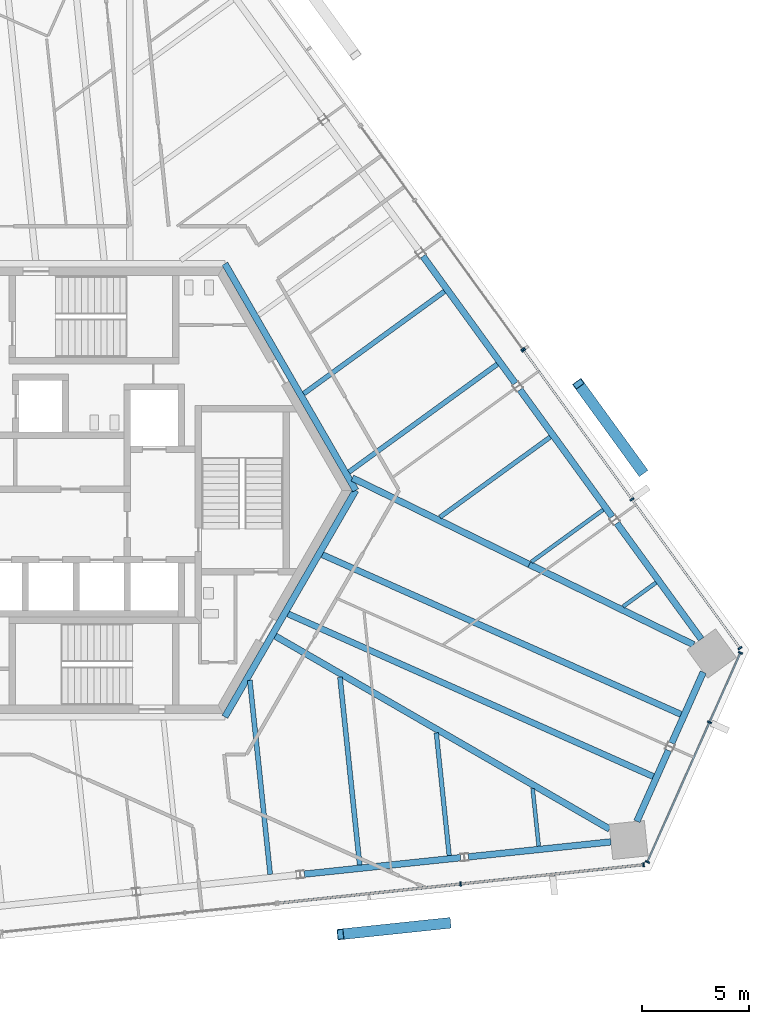
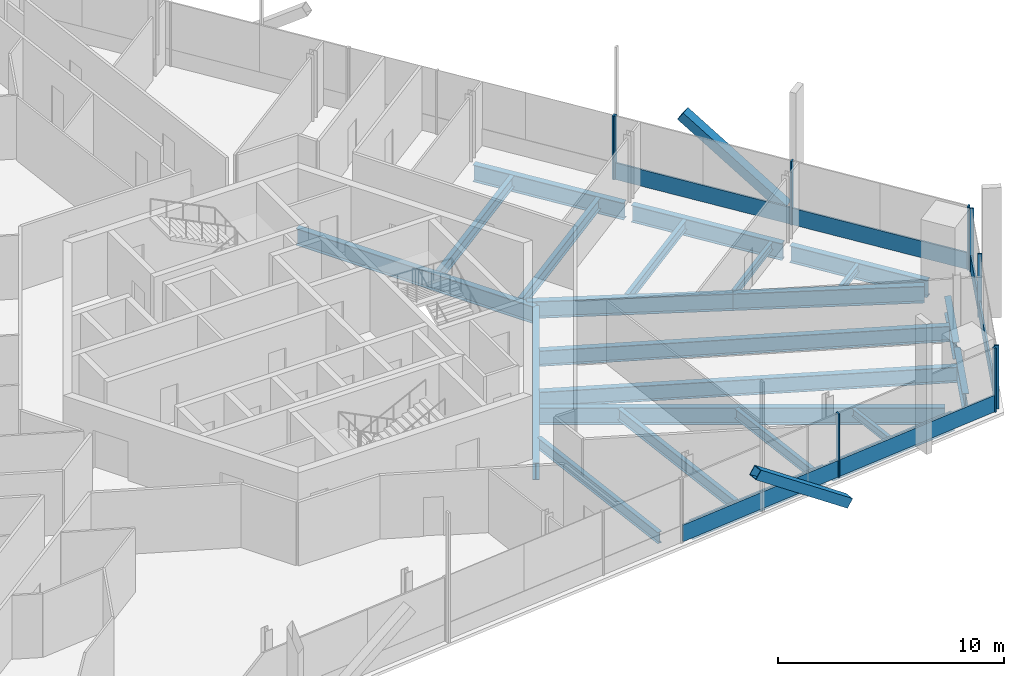
# One storey, part 6 of 20: 23 beams, 17 members, 4 elements without a shape of their own.
"""IFC4 building model written with IfcOpenShell, lengths in metres."""

from ifc_helpers import new_model, si_unit, direction, frame, origin, origin_2d, place, context, subcontext, project, spatial, rectangle, hollow_rectangle, i_section, extrude, source, transform, mapped, material, material_profile, profile_set, type_object, element, aggregate, save


model = new_model("IFC4")

# Units and contexts
model_context = context("Model", 3, precision=1e-05, world=origin(), true_north=direction((0.0, 1.0)))
body_context = subcontext(model_context, "Body", "Model", "MODEL_VIEW")
ifc_project = project(units=[si_unit("LENGTHUNIT", "METRE"), si_unit("AREAUNIT", "SQUARE_METRE"), si_unit("VOLUMEUNIT", "CUBIC_METRE"), si_unit("PLANEANGLEUNIT", "RADIAN"), si_unit("MASSUNIT", "GRAM", prefix="KILO")], contexts=[model_context])

# Site, building, storey
site_placement = place(None, origin())
site = spatial("IfcSite", under=ifc_project, at=site_placement, CompositionType="ELEMENT")
building_placement = place(site_placement, origin())
building = spatial("IfcBuilding", under=site, at=building_placement, Name="Triune Harvest Tower", CompositionType="ELEMENT")
storey_placement = place(building_placement, frame((0.0, 0.0, 226.89990234375)))
storey = spatial("IfcBuildingStorey", under=building, at=storey_placement, Name="L59", CompositionType="ELEMENT", Elevation=226.89990234375)

# Beams
ifc_material_1 = material(Name="Steel ASTM A992 Gr 50", Category="steel")
ifc_material_profile_1 = material_profile(ifc_material_1, i_section(OverallWidth=0.3046875, OverallDepth=0.914306640625, WebThickness=0.0166015625, FlangeThickness=0.02587890625, at=origin_2d()), Name="W36x160")
ifc_profile_set_1 = profile_set([ifc_material_profile_1], Name="Steel ASTM A992 Gr 50")
beam_type_1 = type_object("IfcBeamType", Name="CG-1 Core ring girder W36x160", PredefinedType="BEAM", material=ifc_profile_set_1)
shared_shape_1 = source(origin(), body_context, "Body", "SweptSolid", [
    extrude(i_section(OverallWidth=0.3046875, OverallDepth=0.914306640625, WebThickness=0.0166015625, FlangeThickness=0.02587890625, at=origin_2d()), origin(), (0.0, 0.0, 1.0), 12.176025390625),
])
for number, where, z_axis, x_axis, name in (
    (1, (12.176025390625, 0.0, -0.6171875), (-0.5000099932, 0.866019634131, 0.0), (-0.866019634131, -0.5000099932, 0.0), "beam/L59/CG1"),
    (2, (6.087890625, -10.544677734375, -0.6171875), (0.5000099932, 0.866019634131, 0.0), (-0.866019634131, 0.5000099932, 0.0), "beam/L59/CG6"),
):
    element("IfcBeam", number, at=place(storey_placement, frame(where, z_axis=z_axis, x_axis=x_axis)), inside=storey, type_object=beam_type_1, Name=name, PredefinedType="BEAM", context=body_context, shape_type="MappedRepresentation", body=[
        mapped(shared_shape_1, transform((0.0, 0.0, 0.0), scale=1.0)),
    ])
ifc_material_2 = material(Name="Steel ASTM A992 Gr 50", Category="steel")
ifc_material_profile_2 = material_profile(ifc_material_2, i_section(OverallWidth=0.3046875, OverallDepth=0.914306640625, WebThickness=0.0166015625, FlangeThickness=0.02587890625, at=origin_2d()), Name="W36x160")
ifc_profile_set_2 = profile_set([ifc_material_profile_2], Name="Steel ASTM A992 Gr 50")
beam_type_2 = type_object("IfcBeamType", Name="HG-3 Hip girder W36x160", PredefinedType="BEAM", material=ifc_profile_set_2)
shared_shape_2 = source(origin(), body_context, "Body", "SweptSolid", [
    extrude(i_section(OverallWidth=0.3046875, OverallDepth=0.914306640625, WebThickness=0.0166015625, FlangeThickness=0.02587890625, at=origin_2d()), origin(), (0.0, 0.0, 1.0), 9.168212890625),
])
beam_1_placement = place(storey_placement, frame((20.2587890625, -3.451171875, -0.6171875), z_axis=(-0.898521846145, 0.438928800605, 0.0), x_axis=(-0.438928800605, -0.898521846145, 0.0)))
element("IfcBeam", 3, at=beam_1_placement, inside=storey, type_object=beam_type_2, Name="beam/L59/HG2", PredefinedType="BEAM", context=body_context, shape_type="MappedRepresentation", body=[
    mapped(shared_shape_2, transform((0.0, 0.0, 0.0), scale=1.0)),
])
ifc_material_3 = material(Name="Steel ASTM A992 Gr 50", Category="steel")
ifc_material_profile_3 = material_profile(ifc_material_3, i_section(OverallWidth=0.3046875, OverallDepth=0.914306640625, WebThickness=0.0166015625, FlangeThickness=0.02587890625, at=origin_2d()), Name="W36x160")
ifc_profile_set_3 = profile_set([ifc_material_profile_3], Name="Steel ASTM A992 Gr 50")
beam_type_3 = type_object("IfcBeamType", Name="SB-1 Spandrel beam W36x160", PredefinedType="SPANDREL", material=ifc_profile_set_3)
shared_shape_3 = source(origin(), body_context, "Body", "SweptSolid", [
    extrude(i_section(OverallWidth=0.3046875, OverallDepth=0.914306640625, WebThickness=0.0166015625, FlangeThickness=0.02587890625, at=origin_2d()), origin(), (0.0, 0.0, 1.0), 6.67041015625),
])
for number, where, z_axis, x_axis, name in (
    (4, (28.256591796875, -6.927734375, -0.6171875), (-0.587797324645, 0.80900822316, 0.0), (-0.80900822316, -0.587797324645, 0.0), "beam/L59/SB1"),
    (5, (17.421630859375, -17.060302734375, -0.6171875), (0.994521485501, 0.104532362822, 0.0), (-0.104532362822, 0.994521485501, 0.0), "beam/L59/SB22"),
):
    element("IfcBeam", number, at=place(storey_placement, frame(where, z_axis=z_axis, x_axis=x_axis)), inside=storey, type_object=beam_type_3, Name=name, PredefinedType="SPANDREL", context=body_context, shape_type="MappedRepresentation", body=[
        mapped(shared_shape_3, transform((0.0, 0.0, 0.0), scale=1.0)),
    ])
shared_shape_4 = source(origin(), body_context, "Body", "SweptSolid", [
    extrude(i_section(OverallWidth=0.3046875, OverallDepth=0.914306640625, WebThickness=0.0166015625, FlangeThickness=0.02587890625, at=origin_2d()), origin(), (0.0, 0.0, 1.0), 7.31103515625),
])
for number, where, z_axis, x_axis, name in (
    (6, (24.119384765625, -1.2333984375, -0.6171875), (-0.587786436325, 0.809016134124, 0.0), (-0.809016134124, -0.587786436325, 0.0), "beam/L59/SB2"),
    (7, (19.60546875, 4.9794921875, -0.6171875), (-0.587786436325, 0.809016134124, 0.0), (-0.809016134124, -0.587786436325, 0.0), "beam/L59/SB3"),
    (8, (9.784423828125, -17.863037109375, -0.6171875), (0.994522639393, 0.104521384101, 0.0), (-0.104521384101, 0.994522639393, 0.0), "beam/L59/SB21"),
):
    element("IfcBeam", number, at=place(storey_placement, frame(where, z_axis=z_axis, x_axis=x_axis)), inside=storey, type_object=beam_type_3, Name=name, PredefinedType="SPANDREL", context=body_context, shape_type="MappedRepresentation", body=[
        mapped(shared_shape_4, transform((0.0, 0.0, 0.0), scale=1.0)),
    ])
shared_shape_5 = source(origin(), body_context, "Body", "SweptSolid", [
    extrude(i_section(OverallWidth=0.3046875, OverallDepth=0.914306640625, WebThickness=0.0166015625, FlangeThickness=0.02587890625, at=origin_2d()), origin(), (0.0, 0.0, 1.0), 3.614990234375),
])
beam_2_placement = place(storey_placement, frame((26.883544921875, -11.767822265625, -0.6171875), z_axis=(0.406758712736, 0.913535631277, 0.0), x_axis=(-0.913535631277, 0.406758712736, 0.0)))
element("IfcBeam", 9, at=beam_2_placement, inside=storey, type_object=beam_type_3, Name="beam/L59/SB24", PredefinedType="SPANDREL", context=body_context, shape_type="MappedRepresentation", body=[
    mapped(shared_shape_5, transform((0.0, 0.0, 0.0), scale=1.0)),
])
shared_shape_6 = source(origin(), body_context, "Body", "SweptSolid", [
    extrude(i_section(OverallWidth=0.3046875, OverallDepth=0.914306640625, WebThickness=0.0166015625, FlangeThickness=0.02587890625, at=origin_2d()), origin(), (0.0, 0.0, 1.0), 3.61474609375),
])
beam_3_placement = place(storey_placement, frame((25.263427734375, -15.406494140625, -0.6171875), z_axis=(0.406783809082, 0.913524456525, 0.0), x_axis=(-0.913524456525, 0.406783809082, 0.0)))
element("IfcBeam", 10, at=beam_3_placement, inside=storey, type_object=beam_type_3, Name="beam/L59/SB23", PredefinedType="SPANDREL", context=body_context, shape_type="MappedRepresentation", body=[
    mapped(shared_shape_6, transform((0.0, 0.0, 0.0), scale=1.0)),
])
shared_shape_7 = source(origin(), body_context, "Body", "SweptSolid", [
    extrude(i_section(OverallWidth=0.3046875, OverallDepth=0.914306640625, WebThickness=0.0166015625, FlangeThickness=0.02587890625, at=origin_2d()), origin(), (0.0, 0.0, 1.0), 8.506591796875),
])
beam_4_placement = place(storey_placement, frame((27.902099609375, -7.18505859375, -0.6171875), z_axis=(-0.898516187924, 0.43894038324, 0.0), x_axis=(-0.43894038324, -0.898516187924, 0.0)))
element("IfcBeam", 11, at=beam_4_placement, inside=storey, type_object=beam_type_2, Name="beam/L59/HG1", PredefinedType="BEAM", context=body_context, shape_type="MappedRepresentation", body=[
    mapped(shared_shape_7, transform((0.0, 0.0, 0.0), scale=1.0)),
])
shared_shape_8 = source(origin(), body_context, "Body", "SweptSolid", [
    extrude(i_section(OverallWidth=0.3046875, OverallDepth=0.914306640625, WebThickness=0.0166015625, FlangeThickness=0.02587890625, at=origin_2d()), origin(), (0.0, 0.0, 1.0), 17.96484375),
])
beam_5_placement = place(storey_placement, frame((23.992919921875, -15.766845703125, -0.6171875), z_axis=(-0.866026717539, 0.499997724503, 0.0), x_axis=(-0.499997724503, -0.866026717539, 0.0)))
element("IfcBeam", 12, at=beam_5_placement, inside=storey, type_object=beam_type_2, Name="beam/L59/HG10", PredefinedType="BEAM", context=body_context, shape_type="MappedRepresentation", body=[
    mapped(shared_shape_8, transform((0.0, 0.0, 0.0), scale=1.0)),
])
ifc_material_4 = material(Name="Steel ASTM A992 Gr 50", Category="steel")
ifc_material_profile_4 = material_profile(ifc_material_4, i_section(OverallWidth=0.180908203125, OverallDepth=0.41650390625, WebThickness=0.010986328125, FlangeThickness=0.01806640625, at=origin_2d()), Name="W16x57")
ifc_profile_set_4 = profile_set([ifc_material_profile_4], Name="Steel ASTM A992 Gr 50")
beam_type_4 = type_object("IfcBeamType", Name="JT-1 Floor joist W16x57", PredefinedType="JOIST", material=ifc_profile_set_4)
shared_shape_9 = source(origin(), body_context, "Body", "SweptSolid", [
    extrude(i_section(OverallWidth=0.180908203125, OverallDepth=0.41650390625, WebThickness=0.010986328125, FlangeThickness=0.01806640625, at=origin_2d()), origin(), (0.0, 0.0, 1.0), 1.89892578125),
])
beam_6_placement = place(storey_placement, frame((26.156005859375, -4.2958984375, -0.3681640625), z_axis=(-0.808980650343, -0.587835272309, 0.0), x_axis=(0.587835272309, -0.808980650343, 0.0)))
element("IfcBeam", 13, at=beam_6_placement, inside=storey, type_object=beam_type_4, Name="beam/L59/JT1", PredefinedType="JOIST", context=body_context, shape_type="MappedRepresentation", body=[
    mapped(shared_shape_9, transform((0.0, 0.0, 0.0), scale=1.0)),
])
shared_shape_10 = source(origin(), body_context, "Body", "SweptSolid", [
    extrude(i_section(OverallWidth=0.180908203125, OverallDepth=0.41650390625, WebThickness=0.010986328125, FlangeThickness=0.01806640625, at=origin_2d()), origin(), (0.0, 0.0, 1.0), 4.122802734375),
])
beam_7_placement = place(storey_placement, frame((23.69384765625, -0.906982421875, -0.3681640625), z_axis=(-0.809017670691, -0.587784321423, 0.0), x_axis=(0.587784321423, -0.809017670691, 0.0)))
element("IfcBeam", 14, at=beam_7_placement, inside=storey, type_object=beam_type_4, Name="beam/L59/JT2", PredefinedType="JOIST", context=body_context, shape_type="MappedRepresentation", body=[
    mapped(shared_shape_10, transform((0.0, 0.0, 0.0), scale=1.0)),
])
ifc_material_5 = material(Name="Steel ASTM A992 Gr 50", Category="steel")
ifc_material_profile_5 = material_profile(ifc_material_5, i_section(OverallWidth=0.2099609375, OverallDepth=0.535888671875, WebThickness=0.010986328125, FlangeThickness=0.017333984375, at=origin_2d()), Name="W21x68")
ifc_profile_set_5 = profile_set([ifc_material_profile_5], Name="Steel ASTM A992 Gr 50")
beam_type_5 = type_object("IfcBeamType", Name="JT-2 Floor joist W21x68", PredefinedType="JOIST", material=ifc_profile_set_5)
shared_shape_11 = source(origin(), body_context, "Body", "SweptSolid", [
    extrude(i_section(OverallWidth=0.2099609375, OverallDepth=0.535888671875, WebThickness=0.010986328125, FlangeThickness=0.017333984375, at=origin_2d()), origin(), (0.0, 0.0, 1.0), 6.346435546875),
])
beam_8_placement = place(storey_placement, frame((21.231689453125, 2.481689453125, -0.427978515625), z_axis=(-0.809002165091, -0.58780566251, 0.0), x_axis=(0.58780566251, -0.809002165091, 0.0)))
element("IfcBeam", 15, at=beam_8_placement, inside=storey, type_object=beam_type_5, Name="beam/L59/JT3", PredefinedType="JOIST", context=body_context, shape_type="MappedRepresentation", body=[
    mapped(shared_shape_11, transform((0.0, 0.0, 0.0), scale=1.0)),
])
ifc_material_6 = material(Name="Steel ASTM A992 Gr 50", Category="steel")
ifc_material_profile_6 = material_profile(ifc_material_6, i_section(OverallWidth=0.22900390625, OverallDepth=0.612060546875, WebThickness=0.011962890625, FlangeThickness=0.01953125, at=origin_2d()), Name="W24x84")
ifc_profile_set_6 = profile_set([ifc_material_profile_6], Name="Steel ASTM A992 Gr 50")
beam_type_6 = type_object("IfcBeamType", Name="JT-3 Floor joist W24x84", PredefinedType="JOIST", material=ifc_profile_set_6)
shared_shape_12 = source(origin(), body_context, "Body", "SweptSolid", [
    extrude(i_section(OverallWidth=0.22900390625, OverallDepth=0.612060546875, WebThickness=0.011962890625, FlangeThickness=0.01953125, at=origin_2d()), origin(), (0.0, 0.0, 1.0), 8.540283203125),
])
beam_9_placement = place(storey_placement, frame((18.769775390625, 5.87060546875, -0.466064453125), z_axis=(-0.809019081634, -0.587782379416, 0.0), x_axis=(0.587782379416, -0.809019081634, 0.0)))
element("IfcBeam", 16, at=beam_9_placement, inside=storey, type_object=beam_type_6, Name="beam/L59/JT4", PredefinedType="JOIST", context=body_context, shape_type="MappedRepresentation", body=[
    mapped(shared_shape_12, transform((0.0, 0.0, 0.0), scale=1.0)),
])
shared_shape_13 = source(origin(), body_context, "Body", "SweptSolid", [
    extrude(i_section(OverallWidth=0.22900390625, OverallDepth=0.612060546875, WebThickness=0.011962890625, FlangeThickness=0.01953125, at=origin_2d()), origin(), (0.0, 0.0, 1.0), 8.099609375),
])
beam_10_placement = place(storey_placement, frame((16.3076171875, 9.25927734375, -0.466064453125), z_axis=(-0.809022748574, -0.587777332235, 0.0), x_axis=(0.587777332235, -0.809022748574, 0.0)))
element("IfcBeam", 17, at=beam_10_placement, inside=storey, type_object=beam_type_6, Name="beam/L59/JT5", PredefinedType="JOIST", context=body_context, shape_type="MappedRepresentation", body=[
    mapped(shared_shape_13, transform((0.0, 0.0, 0.0), scale=1.0)),
])
shared_shape_14 = source(origin(), body_context, "Body", "SweptSolid", [
    extrude(i_section(OverallWidth=0.22900390625, OverallDepth=0.612060546875, WebThickness=0.011962890625, FlangeThickness=0.01953125, at=origin_2d()), origin(), (0.0, 0.0, 1.0), 9.084716796875),
])
beam_11_placement = place(storey_placement, frame((8.19677734375, -17.876708984375, -0.466064453125), z_axis=(-0.104539296445, 0.994520756696, 0.0), x_axis=(-0.994520756696, -0.104539296445, 0.0)))
element("IfcBeam", 18, at=beam_11_placement, inside=storey, type_object=beam_type_6, Name="beam/L59/JT31", PredefinedType="JOIST", context=body_context, shape_type="MappedRepresentation", body=[
    mapped(shared_shape_14, transform((0.0, 0.0, 0.0), scale=1.0)),
])
shared_shape_15 = source(origin(), body_context, "Body", "SweptSolid", [
    extrude(i_section(OverallWidth=0.2099609375, OverallDepth=0.535888671875, WebThickness=0.010986328125, FlangeThickness=0.017333984375, at=origin_2d()), origin(), (0.0, 0.0, 1.0), 5.745849609375),
])
beam_12_placement = place(storey_placement, frame((16.5283203125, -17.0009765625, -0.427978515625), z_axis=(-0.104525532782, 0.99452220337, 0.0), x_axis=(-0.99452220337, -0.104525532782, 0.0)))
element("IfcBeam", 19, at=beam_12_placement, inside=storey, type_object=beam_type_5, Name="beam/L59/JT33", PredefinedType="JOIST", context=body_context, shape_type="MappedRepresentation", body=[
    mapped(shared_shape_15, transform((0.0, 0.0, 0.0), scale=1.0)),
])
shared_shape_16 = source(origin(), body_context, "Body", "SweptSolid", [
    extrude(i_section(OverallWidth=0.180908203125, OverallDepth=0.41650390625, WebThickness=0.010986328125, FlangeThickness=0.01806640625, at=origin_2d()), origin(), (0.0, 0.0, 1.0), 2.70263671875),
])
beam_13_placement = place(storey_placement, frame((20.694091796875, -16.56298828125, -0.3681640625), z_axis=(-0.104520196043, 0.994522764254, 0.0), x_axis=(-0.994522764254, -0.104520196043, 0.0)))
element("IfcBeam", 20, at=beam_13_placement, inside=storey, type_object=beam_type_4, Name="beam/L59/JT34", PredefinedType="JOIST", context=body_context, shape_type="MappedRepresentation", body=[
    mapped(shared_shape_16, transform((0.0, 0.0, 0.0), scale=1.0)),
])
ifc_material_7 = material(Name="Steel ASTM A992 Gr 50", Category="steel")
ifc_material_profile_7 = material_profile(ifc_material_7, i_section(OverallWidth=0.2919921875, OverallDepth=0.8408203125, WebThickness=0.0146484375, FlangeThickness=0.021728515625, at=origin_2d()), Name="W33x130")
ifc_profile_set_7 = profile_set([ifc_material_profile_7], Name="Steel ASTM A992 Gr 50")
beam_type_7 = type_object("IfcBeamType", Name="JT-6 Floor joist W33x130", PredefinedType="JOIST", material=ifc_profile_set_7)
shared_shape_17 = source(origin(), body_context, "Body", "SweptSolid", [
    extrude(i_section(OverallWidth=0.2919921875, OverallDepth=0.8408203125, WebThickness=0.0146484375, FlangeThickness=0.021728515625, at=origin_2d()), origin(), (0.0, 0.0, 1.0), 18.60400390625),
])
beam_14_placement = place(storey_placement, frame((26.025390625, -13.32080078125, -0.580322265625), z_axis=(-0.913546187597, 0.406735003568, 0.0), x_axis=(-0.406735003568, -0.913546187597, 0.0)))
element("IfcBeam", 21, at=beam_14_placement, inside=storey, type_object=beam_type_7, Name="beam/L59/JT35", PredefinedType="JOIST", context=body_context, shape_type="MappedRepresentation", body=[
    mapped(shared_shape_17, transform((0.0, 0.0, 0.0), scale=1.0)),
])
shared_shape_18 = source(origin(), body_context, "Body", "SweptSolid", [
    extrude(i_section(OverallWidth=0.22900390625, OverallDepth=0.612060546875, WebThickness=0.011962890625, FlangeThickness=0.01953125, at=origin_2d()), origin(), (0.0, 0.0, 1.0), 8.7890625),
])
beam_15_placement = place(storey_placement, frame((12.362548828125, -17.438720703125, -0.466064453125), z_axis=(-0.104527173764, 0.9945220309, 0.0), x_axis=(-0.9945220309, -0.104527173764, 0.0)))
element("IfcBeam", 22, at=beam_15_placement, inside=storey, type_object=beam_type_6, Name="beam/L59/JT32", PredefinedType="JOIST", context=body_context, shape_type="MappedRepresentation", body=[
    mapped(shared_shape_18, transform((0.0, 0.0, 0.0), scale=1.0)),
])
shared_shape_19 = source(origin(), body_context, "Body", "SweptSolid", [
    extrude(i_section(OverallWidth=0.2919921875, OverallDepth=0.8408203125, WebThickness=0.0146484375, FlangeThickness=0.021728515625, at=origin_2d()), origin(), (0.0, 0.0, 1.0), 18.270751953125),
])
beam_16_placement = place(storey_placement, frame((27.313720703125, -10.427001953125, -0.580322265625), z_axis=(-0.913545207047, 0.406737205922, 0.0), x_axis=(-0.406737205922, -0.913545207047, 0.0)))
element("IfcBeam", 23, at=beam_16_placement, inside=storey, type_object=beam_type_7, Name="beam/L59/JT36", PredefinedType="JOIST", context=body_context, shape_type="MappedRepresentation", body=[
    mapped(shared_shape_19, transform((0.0, 0.0, 0.0), scale=1.0)),
])

# Members
ifc_material_8 = material(Name="Steel ASTM A572 Gr 50", Category="steel")
ifc_material_profile_8 = material_profile(ifc_material_8, hollow_rectangle(XDim=0.5, YDim=0.5, WallThickness=0.030029296875, at=origin_2d()), Name="Box 500x500x30")
ifc_profile_set_8 = profile_set([ifc_material_profile_8], Name="Steel ASTM A572 Gr 50")
member_type_1 = type_object("IfcMemberType", Name="BR-3 Brace Box 500x500x30", PredefinedType="BRACE", material=ifc_profile_set_8)
shared_shape_20 = source(origin(), body_context, "Body", "SweptSolid", [
    extrude(hollow_rectangle(XDim=0.5, YDim=0.5, WallThickness=0.030029296875, at=origin_2d()), origin(), (0.0, 0.0, 1.0), 6.1708984375),
])
for number, where, z_axis, x_axis, name in (
    (24, (25.49169921875, 0.90234375, 0.0), (-0.477406974246, 0.657062652547, 0.58339630747), (-0.809003519911, -0.587803797854, 0.0), "brace/B6-F1/d1/3"),
    (25, (16.44921875, -20.144287109375, 0.0), (-0.807731140993, -0.084903557434, 0.583405339199), (0.104537710696, -0.994520923381, 0.0), "brace/B6-F5/d2/3"),
):
    element("IfcMember", number, at=place(storey_placement, frame(where, z_axis=z_axis, x_axis=x_axis)), inside=storey, type_object=member_type_1, Name=name, PredefinedType="BRACE", context=body_context, shape_type="MappedRepresentation", body=[
        mapped(shared_shape_20, transform((0.0, 0.0, 0.0), scale=1.0)),
    ])

# Curtain wall, members
ifc_material_9 = material(Name="Aluminium bronze anodised", Category="aluminium")
curtain_wall_type_1 = type_object("IfcCurtainWallType", Name="CW-7 Tower stick curtain wall with insulated spandrel infill", PredefinedType="NOTDEFINED", material=ifc_material_9)
curtain_wall_1_placement = place(storey_placement, origin())
curtain_wall_1 = element("IfcCurtainWall", 26, at=curtain_wall_1_placement, inside=storey, type_object=curtain_wall_type_1, Name="CW-7 B6-F1 L59 run 1")
ifc_material_10 = material(Name="Aluminium bronze anodised", Category="aluminium")
ifc_material_profile_9 = material_profile(ifc_material_10, rectangle(XDim=0.199951171875, YDim=0.074951171875, at=origin_2d()), Name="MU-1 mullion 75 x 200")
ifc_profile_set_9 = profile_set([ifc_material_profile_9], Name="Aluminium bronze anodised")
member_type_2 = type_object("IfcMemberType", Name="MU-1 mullion 75 x 200", PredefinedType="MULLION", material=ifc_profile_set_9)
shared_shape_21 = source(origin(), body_context, "Body", "SweptSolid", [
    extrude(rectangle(XDim=0.199951171875, YDim=0.074951171875, at=origin_2d()), origin(), (0.0, 0.0, 1.0), 3.440185546875),
])
member_1_placement = place(storey_placement, frame((30.062255859375, -7.34521484375, 0.0), z_axis=(0.0, 0.0, 1.0), x_axis=(-0.809016356822, -0.587786129808, 0.0)))
member_1 = element("IfcMember", 27, at=member_1_placement, type_object=member_type_2, Name="CW-7 mullion B6-F1 1.1", PredefinedType="MULLION", context=body_context, shape_type="MappedRepresentation", body=[
    mapped(shared_shape_21, transform((0.0, 0.0, 0.0), scale=1.0)),
])
member_2_placement = place(storey_placement, frame((25.029296875, -0.41796875, 0.0), z_axis=(0.0, 0.0, 1.0), x_axis=(-0.809016356822, -0.587786129808, 0.0)))
member_2 = element("IfcMember", 28, at=member_2_placement, type_object=member_type_2, Name="CW-7 mullion B6-F1 1.3", PredefinedType="MULLION", context=body_context, shape_type="MappedRepresentation", body=[
    mapped(shared_shape_21, transform((0.0, 0.0, 0.0), scale=1.0)),
])
member_3_placement = place(storey_placement, frame((19.996337890625, 6.50927734375, 0.0), z_axis=(0.0, 0.0, 1.0), x_axis=(-0.809016356822, -0.587786129808, 0.0)))
member_3 = element("IfcMember", 29, at=member_3_placement, type_object=member_type_2, Name="CW-7 mullion B6-F1 1.5", PredefinedType="MULLION", context=body_context, shape_type="MappedRepresentation", body=[
    mapped(shared_shape_21, transform((0.0, 0.0, 0.0), scale=1.0)),
])

# Curtain wall, member
ifc_material_11 = material(Name="Aluminium bronze anodised", Category="aluminium")
curtain_wall_type_2 = type_object("IfcCurtainWallType", Name="CW-1 Tower stick curtain wall", PredefinedType="NOTDEFINED", material=ifc_material_11)
curtain_wall_2_placement = place(storey_placement, origin())
curtain_wall_2 = element("IfcCurtainWall", 30, at=curtain_wall_2_placement, inside=storey, type_object=curtain_wall_type_2, Name="CW-1 B6-F1 L59 run 1001")
member_4_placement = place(storey_placement, frame((19.952392578125, 6.56982421875, 0.0), z_axis=(0.0, 0.0, 1.0), x_axis=(-0.809017576253, -0.587784451405, 0.0)))
member_4 = element("IfcMember", 31, at=member_4_placement, type_object=member_type_2, Name="CW-1 mullion B6-F1 1001.1", PredefinedType="MULLION", context=body_context, shape_type="MappedRepresentation", body=[
    mapped(shared_shape_21, transform((0.0, 0.0, 0.0), scale=1.0)),
])
aggregate(curtain_wall_2, [member_4])

# Curtain wall, members
curtain_wall_3_placement = place(storey_placement, origin())
curtain_wall_3 = element("IfcCurtainWall", 32, at=curtain_wall_3_placement, inside=storey, type_object=curtain_wall_type_1, Name="CW-7 B6-F5 L59 run 2001")
member_5_placement = place(storey_placement, frame((17.05859375, -18.320556640625, 0.0), z_axis=(0.0, 0.0, 1.0), x_axis=(-0.104527917264, 0.994521952755, 0.0)))
member_5 = element("IfcMember", 33, at=member_5_placement, type_object=member_type_2, Name="CW-7 mullion B6-F5 2001.3", PredefinedType="MULLION", context=body_context, shape_type="MappedRepresentation", body=[
    mapped(shared_shape_21, transform((0.0, 0.0, 0.0), scale=1.0)),
])
member_6_placement = place(storey_placement, frame((25.57421875, -17.425537109375, 0.0), z_axis=(0.0, 0.0, 1.0), x_axis=(-0.104527917264, 0.994521952755, 0.0)))
member_6 = element("IfcMember", 34, at=member_6_placement, type_object=member_type_2, Name="CW-7 mullion B6-F5 2001.5", PredefinedType="MULLION", context=body_context, shape_type="MappedRepresentation", body=[
    mapped(shared_shape_21, transform((0.0, 0.0, 0.0), scale=1.0)),
])

curtain_wall_4_placement = place(storey_placement, origin())
curtain_wall_4 = element("IfcCurtainWall", 35, at=curtain_wall_4_placement, inside=storey, type_object=curtain_wall_type_2, Name="CW-1 B6-F6 L59 run 1")
member_7_placement = place(storey_placement, frame((25.7529296875, -17.2958984375, 0.0), z_axis=(0.0, 0.0, 1.0), x_axis=(-0.913542531121, 0.406743216086, 0.0)))
member_7 = element("IfcMember", 36, at=member_7_placement, type_object=member_type_2, Name="CW-1 mullion B6-F6 1.1", PredefinedType="MULLION", context=body_context, shape_type="MappedRepresentation", body=[
    mapped(shared_shape_21, transform((0.0, 0.0, 0.0), scale=1.0)),
])
member_8_placement = place(storey_placement, frame((28.646240234375, -10.797119140625, 0.0), z_axis=(0.0, 0.0, 1.0), x_axis=(-0.913542531121, 0.406743216086, 0.0)))
member_8 = element("IfcMember", 37, at=member_8_placement, type_object=member_type_2, Name="CW-1 mullion B6-F6 1.3", PredefinedType="MULLION", context=body_context, shape_type="MappedRepresentation", body=[
    mapped(shared_shape_21, transform((0.0, 0.0, 0.0), scale=1.0)),
])
member_9_placement = place(storey_placement, frame((30.08544921875, -7.56494140625, 0.0), z_axis=(0.0, 0.0, 1.0), x_axis=(-0.913542531121, 0.406743216086, 0.0)))
member_9 = element("IfcMember", 38, at=member_9_placement, type_object=member_type_2, Name="CW-1 mullion B6-F6 1.4", PredefinedType="MULLION", context=body_context, shape_type="MappedRepresentation", body=[
    mapped(shared_shape_21, transform((0.0, 0.0, 0.0), scale=1.0)),
])
ifc_material_12 = material(Name="Aluminium bronze anodised", Category="aluminium")
ifc_material_profile_10 = material_profile(ifc_material_12, rectangle(XDim=0.090087890625, YDim=0.89990234375, at=origin_2d()), Name="TR-1 transom 90 x 900")
ifc_profile_set_10 = profile_set([ifc_material_profile_10], Name="Aluminium bronze anodised")
member_type_3 = type_object("IfcMemberType", Name="TR-1 transom 90 x 900", PredefinedType="USERDEFINED", material=ifc_profile_set_10)
shared_shape_22 = source(origin(), body_context, "Body", "SweptSolid", [
    extrude(rectangle(XDim=0.090087890625, YDim=0.89990234375, at=origin_2d()), origin(), (0.0, 0.0, 1.0), 7.038818359375),
])
member_10_placement = place(storey_placement, frame((25.76806640625, -17.261474609375, 0.4501953125), z_axis=(0.406753052694, 0.913538151433, 0.0), x_axis=(-0.913538151433, 0.406753052694, 0.0)))
member_10 = element("IfcMember", 39, at=member_10_placement, type_object=member_type_3, Name="CW-1 transom B6-F6 1.1", ObjectType="TRANSOM", PredefinedType="USERDEFINED", context=body_context, shape_type="MappedRepresentation", body=[
    mapped(shared_shape_22, transform((0.0, 0.0, 0.0), scale=1.0)),
])
shared_shape_23 = source(origin(), body_context, "Body", "SweptSolid", [
    extrude(rectangle(XDim=0.090087890625, YDim=0.89990234375, at=origin_2d()), origin(), (0.0, 0.0, 1.0), 3.463134765625),
])
member_11_placement = place(storey_placement, frame((28.66162109375, -10.762939453125, 0.4501953125), z_axis=(0.406694368517, 0.913564278317, 0.0), x_axis=(-0.913564278317, 0.406694368517, 0.0)))
member_11 = element("IfcMember", 40, at=member_11_placement, type_object=member_type_3, Name="CW-1 transom B6-F6 1.2", ObjectType="TRANSOM", PredefinedType="USERDEFINED", context=body_context, shape_type="MappedRepresentation", body=[
    mapped(shared_shape_23, transform((0.0, 0.0, 0.0), scale=1.0)),
])
aggregate(curtain_wall_4, [member_7, member_8, member_9, member_10, member_11])

# Member
shared_shape_24 = source(origin(), body_context, "Body", "SweptSolid", [
    extrude(rectangle(XDim=0.090087890625, YDim=0.89990234375, at=origin_2d()), origin(), (0.0, 0.0, 1.0), 8.487548828125),
])
member_12_placement = place(storey_placement, frame((30.040283203125, -7.31494140625, 0.4501953125), z_axis=(-0.587771412018, 0.809027049742, 0.0), x_axis=(-0.809027049742, -0.587771412018, 0.0)))
member_12 = element("IfcMember", 41, at=member_12_placement, type_object=member_type_3, Name="CW-7 transom B6-F1 1.1", ObjectType="TRANSOM", PredefinedType="USERDEFINED", context=body_context, shape_type="MappedRepresentation", body=[
    mapped(shared_shape_24, transform((0.0, 0.0, 0.0), scale=1.0)),
])

member_13_placement = place(storey_placement, frame((25.00732421875, -0.3876953125, 0.4501953125), z_axis=(-0.587771412018, 0.809027049742, 0.0), x_axis=(-0.809027049742, -0.587771412018, 0.0)))
member_13 = element("IfcMember", 42, at=member_13_placement, type_object=member_type_3, Name="CW-7 transom B6-F1 1.2", ObjectType="TRANSOM", PredefinedType="USERDEFINED", context=body_context, shape_type="MappedRepresentation", body=[
    mapped(shared_shape_24, transform((0.0, 0.0, 0.0), scale=1.0)),
])

aggregate(curtain_wall_1, [member_1, member_2, member_3, member_12, member_13])

member_14_placement = place(storey_placement, frame((8.580078125, -19.211669921875, 0.4501953125), z_axis=(0.994521832377, 0.104529062585, 0.0), x_axis=(-0.104529062585, 0.994521832377, 0.0)))
member_14 = element("IfcMember", 43, at=member_14_placement, type_object=member_type_3, Name="CW-7 transom B6-F5 2001.1", ObjectType="TRANSOM", PredefinedType="USERDEFINED", context=body_context, shape_type="MappedRepresentation", body=[
    mapped(shared_shape_24, transform((0.0, 0.0, 0.0), scale=1.0)),
])

shared_shape_25 = source(origin(), body_context, "Body", "SweptSolid", [
    extrude(rectangle(XDim=0.090087890625, YDim=0.89990234375, at=origin_2d()), origin(), (0.0, 0.0, 1.0), 8.4873046875),
])
member_15_placement = place(storey_placement, frame((17.095947265625, -18.316650390625, 0.4501953125), z_axis=(0.994521518077, 0.104532052892, 0.0), x_axis=(-0.104532052892, 0.994521518077, 0.0)))
member_15 = element("IfcMember", 44, at=member_15_placement, type_object=member_type_3, Name="CW-7 transom B6-F5 2001.2", ObjectType="TRANSOM", PredefinedType="USERDEFINED", context=body_context, shape_type="MappedRepresentation", body=[
    mapped(shared_shape_25, transform((0.0, 0.0, 0.0), scale=1.0)),
])

aggregate(curtain_wall_3, [member_5, member_6, member_14, member_15])

save(model, "model.ifc")
